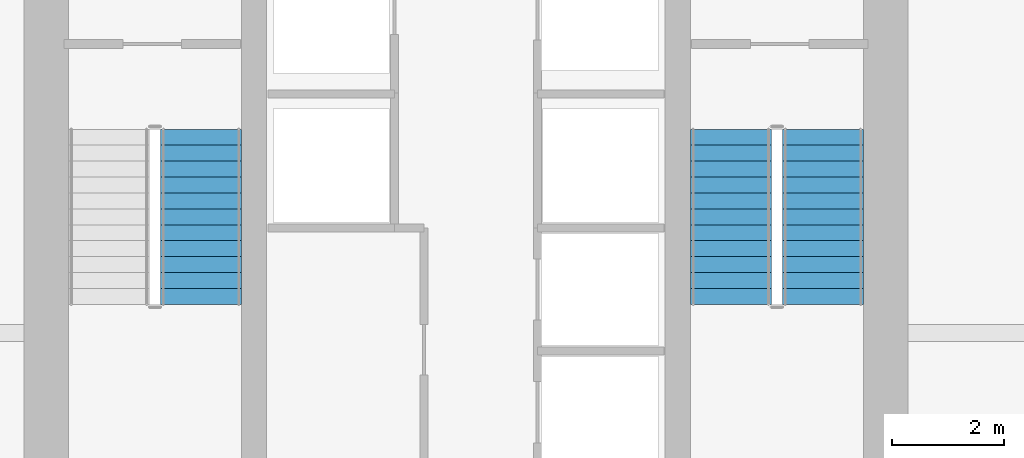
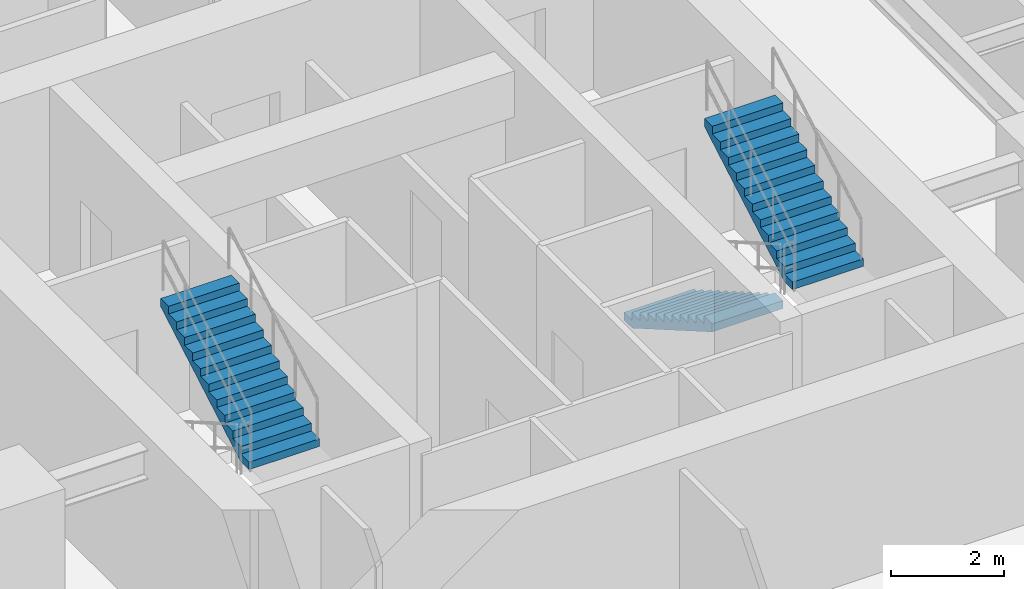
# One storey, part 23 of 25: 3 stair flights, 2 elements without a shape of their own.
"""IFC4 building model written with IfcOpenShell, lengths in metres."""

from ifc_helpers import new_model, si_unit, direction, frame, origin, place, context, subcontext, project, spatial, polyline, outline, extrude, material, type_object, element, aggregate, save


model = new_model("IFC4")

# Units and contexts
model_context = context("Model", 3, precision=1e-05, world=origin(), true_north=direction((0.0, 1.0)))
body_context = subcontext(model_context, "Body", "Model", "MODEL_VIEW")
ifc_project = project(units=[si_unit("LENGTHUNIT", "METRE"), si_unit("AREAUNIT", "SQUARE_METRE"), si_unit("VOLUMEUNIT", "CUBIC_METRE"), si_unit("PLANEANGLEUNIT", "RADIAN"), si_unit("MASSUNIT", "GRAM", prefix="KILO")], contexts=[model_context])

# Site, building, storey
site_placement = place(None, origin())
site = spatial("IfcSite", under=ifc_project, at=site_placement, CompositionType="ELEMENT")
building_placement = place(site_placement, origin())
building = spatial("IfcBuilding", under=site, at=building_placement, Name="Krantzveldt Concourse Tower", CompositionType="ELEMENT")
storey_placement = place(building_placement, frame((0.0, 0.0, 238.89990234375)))
storey = spatial("IfcBuildingStorey", under=building, at=storey_placement, Name="L58", CompositionType="ELEMENT", Elevation=238.89990234375)

# Stair, stair flight
ifc_material = material(Name="Precast concrete C40/50", Category="concrete")
stair_type = type_object("IfcStairType", Name="STR-CORE-DOGLEG", PredefinedType="HALF_TURN_STAIR", material=ifc_material)
stair_1_placement = place(storey_placement, origin())
stair_1 = element("IfcStair", 1, at=stair_1_placement, inside=storey, type_object=stair_type, Name="L58 Protected Escape Stair ST-1", PredefinedType="HALF_TURN_STAIR")
stair_flight_type = type_object("IfcStairFlightType", Name="STF-CORE-1450", PredefinedType="STRAIGHT", material=ifc_material)
stair_flight_1_placement = place(storey_placement, frame((31.2548828125, 16.4150390625, 1.97509765625), z_axis=(0.0, 0.0, 1.0), x_axis=(0.0, 1.0, 0.0)))
stair_flight_1 = element("IfcStairFlight", 2, at=stair_flight_1_placement, type_object=stair_flight_type, Name="ST-1 flight 2", NumberOfRisers=12, NumberOfTreads=11, PredefinedType="STRAIGHT", RiserHeight=0.164583333, TreadLength=0.285, context=body_context, shape_type="SweptSolid", body=[
    extrude(outline(polyline([(0.0, 0.0), (0.0, 0.16455078125), (0.284912109375, 0.16455078125), (0.284912109375, 0.3291015625), (0.570068359375, 0.3291015625), (0.570068359375, 0.49365234375), (0.85498046875, 0.49365234375), (0.85498046875, 0.658447265625), (1.139892578125, 0.658447265625), (1.139892578125, 0.822998046875), (1.425048828125, 0.822998046875), (1.425048828125, 0.987548828125), (1.7099609375, 0.987548828125), (1.7099609375, 1.152099609375), (1.9951171875, 1.152099609375), (1.9951171875, 1.316650390625), (2.280029296875, 1.316650390625), (2.280029296875, 1.481201171875), (2.56494140625, 1.481201171875), (2.56494140625, 1.645751953125), (2.85009765625, 1.645751953125), (2.85009765625, 1.810302734375), (3.135009765625, 1.810302734375), (3.135009765625, 1.97509765625), (3.135009765625, 1.63720703125), (0.2998046875, 0.0), (0.0, 0.0)])), frame((0.0, 0.72509765625, 0.0), z_axis=(0.0, -1.0, 0.0), x_axis=(1.0, 0.0, 0.0)), (0.0, 0.0, 1.0), 1.449951171875),
])
aggregate(stair_1, [stair_flight_1])

# Stair, stair flights
stair_2_placement = place(storey_placement, origin())
stair_2 = element("IfcStair", 3, at=stair_2_placement, inside=storey, type_object=stair_type, Name="L58 Protected Escape Stair ST-2", PredefinedType="HALF_TURN_STAIR")
stair_flight_2_placement = place(storey_placement, frame((40.7451171875, 19.550048828125, 0.0), z_axis=(0.0, 0.0, 1.0), x_axis=(0.0, -1.0, 0.0)))
stair_flight_2 = element("IfcStairFlight", 4, at=stair_flight_2_placement, type_object=stair_flight_type, Name="ST-2 flight 1", NumberOfRisers=12, NumberOfTreads=11, PredefinedType="STRAIGHT", RiserHeight=0.164583333, TreadLength=0.285, context=body_context, shape_type="SweptSolid", body=[
    extrude(outline(polyline([(0.0, 0.0), (0.0, 0.16455078125), (0.284912109375, 0.16455078125), (0.284912109375, 0.3291015625), (0.570068359375, 0.3291015625), (0.570068359375, 0.49365234375), (0.85498046875, 0.49365234375), (0.85498046875, 0.658447265625), (1.139892578125, 0.658447265625), (1.139892578125, 0.822998046875), (1.425048828125, 0.822998046875), (1.425048828125, 0.987548828125), (1.7099609375, 0.987548828125), (1.7099609375, 1.152099609375), (1.9951171875, 1.152099609375), (1.9951171875, 1.316650390625), (2.280029296875, 1.316650390625), (2.280029296875, 1.481201171875), (2.56494140625, 1.481201171875), (2.56494140625, 1.645751953125), (2.85009765625, 1.645751953125), (2.85009765625, 1.810302734375), (3.135009765625, 1.810302734375), (3.135009765625, 1.97509765625), (3.135009765625, 1.63720703125), (0.2998046875, 0.0), (0.0, 0.0)])), frame((0.0, 0.72509765625, 0.0), z_axis=(0.0, -1.0, 0.0), x_axis=(1.0, 0.0, 0.0)), (0.0, 0.0, 1.0), 1.449951171875),
])
stair_flight_3_placement = place(storey_placement, frame((42.39501953125, 16.4150390625, 1.97509765625), z_axis=(0.0, 0.0, 1.0), x_axis=(0.0, 1.0, 0.0)))
stair_flight_3 = element("IfcStairFlight", 5, at=stair_flight_3_placement, type_object=stair_flight_type, Name="ST-2 flight 2", NumberOfRisers=12, NumberOfTreads=11, PredefinedType="STRAIGHT", RiserHeight=0.164583333, TreadLength=0.285, context=body_context, shape_type="SweptSolid", body=[
    extrude(outline(polyline([(0.0, 0.0), (0.0, 0.16455078125), (0.284912109375, 0.16455078125), (0.284912109375, 0.3291015625), (0.570068359375, 0.3291015625), (0.570068359375, 0.49365234375), (0.85498046875, 0.49365234375), (0.85498046875, 0.658447265625), (1.139892578125, 0.658447265625), (1.139892578125, 0.822998046875), (1.425048828125, 0.822998046875), (1.425048828125, 0.987548828125), (1.7099609375, 0.987548828125), (1.7099609375, 1.152099609375), (1.9951171875, 1.152099609375), (1.9951171875, 1.316650390625), (2.280029296875, 1.316650390625), (2.280029296875, 1.481201171875), (2.56494140625, 1.481201171875), (2.56494140625, 1.645751953125), (2.85009765625, 1.645751953125), (2.85009765625, 1.810302734375), (3.135009765625, 1.810302734375), (3.135009765625, 1.97509765625), (3.135009765625, 1.63720703125), (0.2998046875, 0.0), (0.0, 0.0)])), frame((0.0, 0.72509765625, 0.0), z_axis=(0.0, -1.0, 0.0), x_axis=(1.0, 0.0, 0.0)), (0.0, 0.0, 1.0), 1.449951171875),
])
aggregate(stair_2, [stair_flight_2, stair_flight_3])

save(model, "model.ifc")
